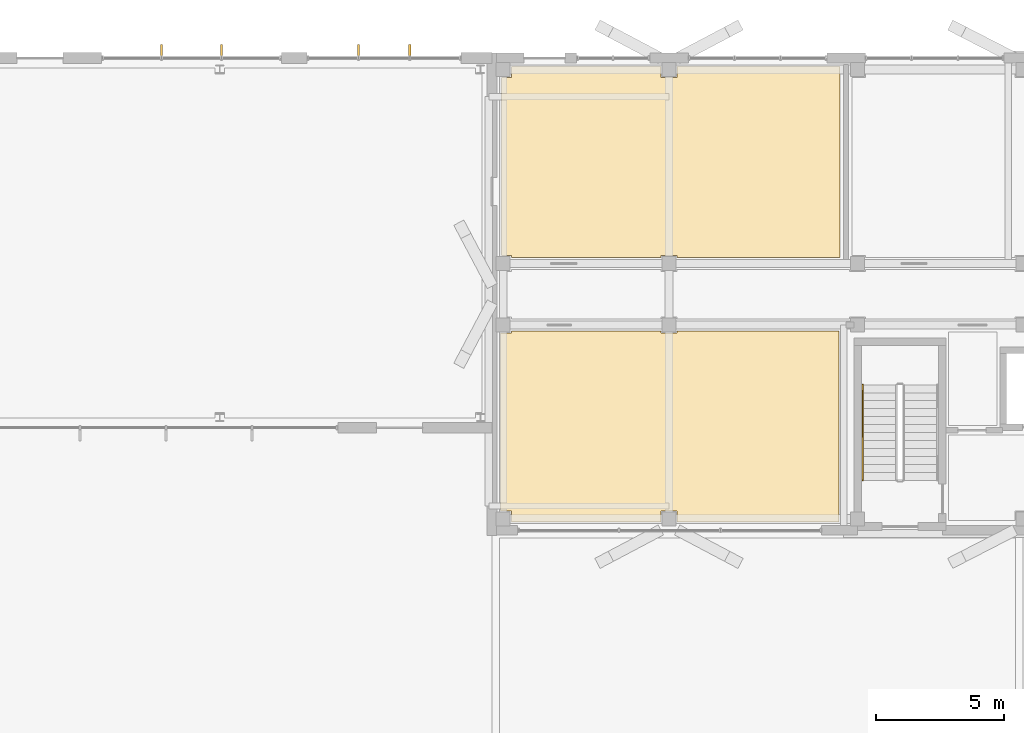
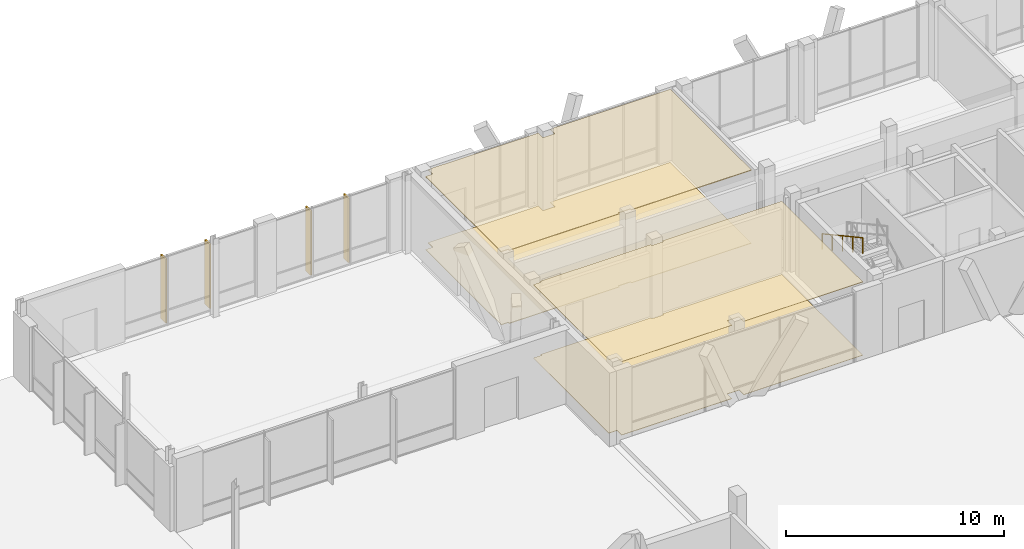
# One storey, part 226 of 233: 4 coverings, 4 shading devices, 1 railing.
"""IFC4 building model written with IfcOpenShell, lengths in metres."""

from ifc_helpers import new_model, si_unit, direction, frame, origin, origin_2d, place, context, subcontext, project, spatial, polyline, rectangle, outline, extrude, material, layer, layer_set, type_object, element, save


model = new_model("IFC4")

# Units and contexts
model_context = context("Model", 3, precision=1e-05, world=origin(), true_north=direction((0.0, 1.0)))
body_context = subcontext(model_context, "Body", "Model", "MODEL_VIEW")
ifc_project = project(units=[si_unit("LENGTHUNIT", "METRE"), si_unit("AREAUNIT", "SQUARE_METRE"), si_unit("VOLUMEUNIT", "CUBIC_METRE"), si_unit("PLANEANGLEUNIT", "RADIAN"), si_unit("MASSUNIT", "GRAM", prefix="KILO")], contexts=[model_context])

# Site, building, storey
site_placement = place(None, origin())
site = spatial("IfcSite", under=ifc_project, at=site_placement, CompositionType="ELEMENT")
building_placement = place(site_placement, origin())
building = spatial("IfcBuilding", under=site, at=building_placement, Name="Zavelmont Quarter", CompositionType="ELEMENT")
storey_placement = place(building_placement, origin())
storey = spatial("IfcBuildingStorey", under=building, at=storey_placement, Name="L00", CompositionType="ELEMENT", Elevation=0.0)

# Coverings
ifc_material_1 = material(Name="Perforated acoustic gypsum board")
ifc_layer_1 = layer(ifc_material_1, 0.02490234375)
ifc_layer_set_1 = layer_set([ifc_layer_1], Name="Perforated acoustic gypsum board")
covering_type_1 = type_object("IfcCoveringType", Name="CV-CL01", PredefinedType="CEILING", material=ifc_layer_set_1)
covering_1_placement = place(storey_placement, frame((0.0, 0.0, 4.094970703125)))
element("IfcCovering", 1, at=covering_1_placement, inside=storey, type_object=covering_type_1, Name="L00 Meter and Telecom Room acoustic ceiling", PredefinedType="CEILING", context=body_context, shape_type="SweptSolid", body=[
    extrude(outline(polyline([(113.1298828125, 105.284912109375), (113.554931640625, 105.284912109375), (113.554931640625, 105.3701171875), (119.385009765625, 105.3701171875), (119.385009765625, 105.284912109375), (120.014892578125, 105.284912109375), (120.014892578125, 105.3701171875), (126.320068359375, 105.3701171875), (126.320068359375, 97.929931640625), (120.014892578125, 97.929931640625), (120.014892578125, 98.35498046875), (119.385009765625, 98.35498046875), (119.385009765625, 97.929931640625), (113.554931640625, 97.929931640625), (113.554931640625, 98.35498046875), (113.1298828125, 98.35498046875), (113.1298828125, 105.284912109375)])), origin(), (0.0, 0.0, 1.0), 0.025146484375),
])
ifc_material_2 = material(Name="Slatted European ash acoustic baffle ceiling")
ifc_layer_2 = layer(ifc_material_2, 0.0400390625)
ifc_layer_set_2 = layer_set([ifc_layer_2], Name="Slatted European ash acoustic baffle ceiling")
covering_type_2 = type_object("IfcCoveringType", Name="CV-CL02", PredefinedType="CEILING", material=ifc_layer_set_2)
covering_2_placement = place(storey_placement, frame((0.0, 0.0, 4.080078125)))
element("IfcCovering", 2, at=covering_2_placement, inside=storey, type_object=covering_type_2, Name="L00 Block Entrance Foyer acoustic ceiling", PredefinedType="CEILING", context=body_context, shape_type="SweptSolid", body=[
    extrude(outline(polyline([(113.179931640625, 115.2451171875), (113.554931640625, 115.2451171875), (113.554931640625, 115.669921875), (119.385009765625, 115.669921875), (119.385009765625, 115.2451171875), (120.014892578125, 115.2451171875), (120.014892578125, 115.669921875), (126.3701171875, 115.669921875), (126.3701171875, 108.22998046875), (120.014892578125, 108.22998046875), (120.014892578125, 108.31494140625), (119.385009765625, 108.31494140625), (119.385009765625, 108.22998046875), (113.554931640625, 108.22998046875), (113.554931640625, 108.31494140625), (113.179931640625, 108.31494140625), (113.179931640625, 115.2451171875)])), origin(), (0.0, 0.0, 1.0), 0.0400390625),
])
ifc_material_3 = material(Name="Engineered European oak parquet")
ifc_layer_3 = layer(ifc_material_3, 0.02197265625)
ifc_layer_set_3 = layer_set([ifc_layer_3], Name="Engineered European oak parquet")
covering_type_3 = type_object("IfcCoveringType", Name="CV-FL01", PredefinedType="FLOORING", material=ifc_layer_set_3)
covering_3_placement = place(storey_placement, origin())
element("IfcCovering", 3, at=covering_3_placement, inside=storey, type_object=covering_type_3, Name="L00 Meter and Telecom Room floor finish", PredefinedType="FLOORING", context=body_context, shape_type="SweptSolid", body=[
    extrude(outline(polyline([(113.1298828125, 105.284912109375), (113.554931640625, 105.284912109375), (113.554931640625, 105.3701171875), (119.385009765625, 105.3701171875), (119.385009765625, 105.284912109375), (120.014892578125, 105.284912109375), (120.014892578125, 105.3701171875), (126.320068359375, 105.3701171875), (126.320068359375, 97.929931640625), (120.014892578125, 97.929931640625), (120.014892578125, 98.35498046875), (119.385009765625, 98.35498046875), (119.385009765625, 97.929931640625), (113.554931640625, 97.929931640625), (113.554931640625, 98.35498046875), (113.1298828125, 98.35498046875), (113.1298828125, 105.284912109375)])), origin(), (0.0, 0.0, 1.0), 0.02197265625),
])
ifc_material_4 = material(Name="Honed Belgian bluestone tile", Category="masonry")
ifc_layer_4 = layer(ifc_material_4, 0.030029296875)
ifc_layer_set_4 = layer_set([ifc_layer_4], Name="Honed Belgian bluestone tile")
covering_type_4 = type_object("IfcCoveringType", Name="CV-FL02", PredefinedType="FLOORING", material=ifc_layer_set_4)
covering_4_placement = place(storey_placement, origin())
element("IfcCovering", 4, at=covering_4_placement, inside=storey, type_object=covering_type_4, Name="L00 Block Entrance Foyer floor finish", PredefinedType="FLOORING", context=body_context, shape_type="SweptSolid", body=[
    extrude(outline(polyline([(113.179931640625, 115.2451171875), (113.554931640625, 115.2451171875), (113.554931640625, 115.669921875), (119.385009765625, 115.669921875), (119.385009765625, 115.2451171875), (120.014892578125, 115.2451171875), (120.014892578125, 115.669921875), (126.3701171875, 115.669921875), (126.3701171875, 108.22998046875), (120.014892578125, 108.22998046875), (120.014892578125, 108.31494140625), (119.385009765625, 108.31494140625), (119.385009765625, 108.22998046875), (113.554931640625, 108.22998046875), (113.554931640625, 108.31494140625), (113.179931640625, 108.31494140625), (113.179931640625, 115.2451171875)])), origin(), (0.0, 0.0, 1.0), 0.030029296875),
])

# Railing
ifc_material_5 = material(Name="Brushed stainless-steel wall handrail", Category="steel")
railing_type = type_object("IfcRailingType", Name="RL-HND1", PredefinedType="HANDRAIL", material=ifc_material_5)
railing_placement = place(storey_placement, frame((127.25, 103.27001953125, 2.369140625)))
element("IfcRailing", 5, at=railing_placement, inside=storey, type_object=railing_type, Name="L00 ST05 stair handrail 2", PredefinedType="HANDRAIL", context=body_context, shape_type="SweptSolid", body=[
    extrude(rectangle(XDim=0.048095703125, YDim=0.048095703125, at=origin_2d()), frame((0.0, 0.0, 0.8759765625), z_axis=(0.0, -0.877728207833, 0.479158839191), x_axis=(1.0, 0.0, 0.0)), (0.0, 0.0, 1.0), 4.23828125),
    extrude(rectangle(XDim=0.0419921875, YDim=0.0419921875, at=origin_2d()), origin(), (0.0, 0.0, 1.0), 0.851806640625),
    extrude(rectangle(XDim=0.0419921875, YDim=0.0419921875, at=origin_2d()), frame((0.0, -0.929931640625, 0.5078125)), (0.0, 0.0, 1.0), 0.851806640625),
    extrude(rectangle(XDim=0.0419921875, YDim=0.0419921875, at=origin_2d()), frame((0.0, -1.85986328125, 1.015380859375)), (0.0, 0.0, 1.0), 0.851806640625),
    extrude(rectangle(XDim=0.0419921875, YDim=0.0419921875, at=origin_2d()), frame((0.0, -2.7900390625, 1.52294921875)), (0.0, 0.0, 1.0), 0.851806640625),
    extrude(rectangle(XDim=0.0419921875, YDim=0.0419921875, at=origin_2d()), frame((0.0, -3.719970703125, 2.03076171875)), (0.0, 0.0, 1.0), 0.851806640625),
])

# Shading devices
ifc_material_6 = material(Name="Anodised aluminium EN AW-6063-T6", Category="aluminium")
shading_device_type = type_object("IfcShadingDeviceType", Name="SD01", PredefinedType="JALOUSIE", material=ifc_material_6)
for number, where, z_axis, x_axis, name in (
    (6, (99.933349609375, 116.294921875, 0.050048828125), (0.0, 0.0, 1.0), (1.0, 0.0, 0.0), "L00 solar brise-soleil fin SD01"),
    (7, (102.2666015625, 116.294921875, 0.050048828125), (0.0, 0.0, 1.0), (1.0, 0.0, 0.0), "L00 solar brise-soleil fin SD01"),
    (8, (107.60009765625, 116.294921875, 0.050048828125), (0.0, 0.0, 1.0), (1.0, 0.0, 0.0), "L00 solar brise-soleil fin SD01"),
    (9, (109.60009765625, 116.294921875, 0.050048828125), (0.0, 0.0, 1.0), (1.0, 0.0, 0.0), "L00 solar brise-soleil fin SD01"),
):
    element("IfcShadingDevice", number, at=place(storey_placement, frame(where, z_axis=z_axis, x_axis=x_axis)), inside=storey, type_object=shading_device_type, Name=name, PredefinedType="JALOUSIE", context=body_context, shape_type="SweptSolid", body=[
        extrude(rectangle(XDim=0.080078125, YDim=0.449951171875, at=origin_2d()), origin(), (0.0, 0.0, 1.0), 3.60009765625),
    ])

save(model, "model.ifc")
